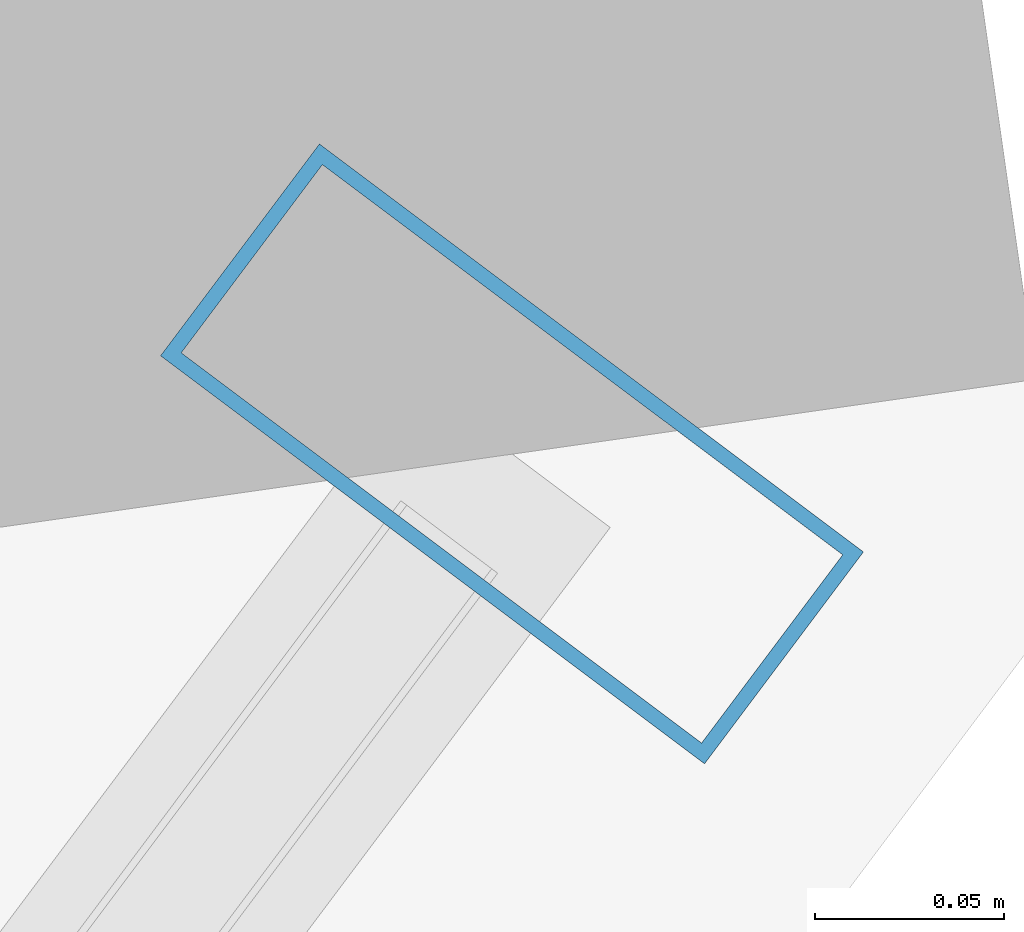
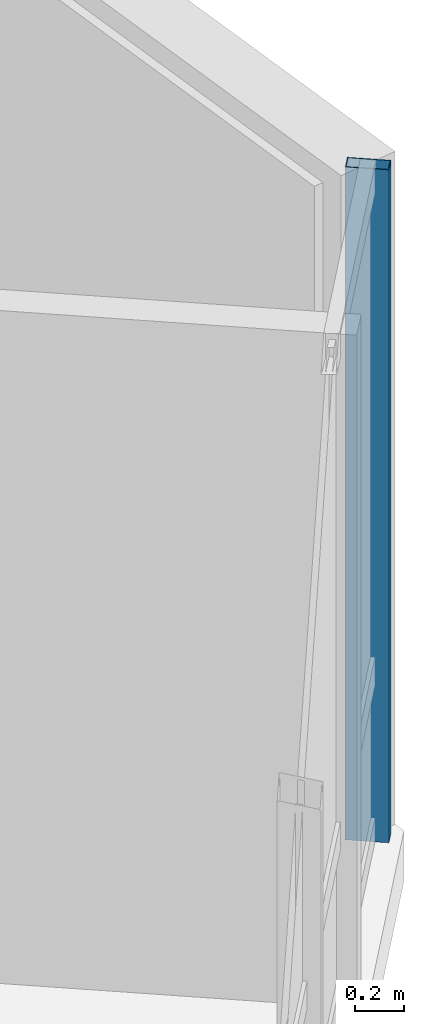
# One storey, part 16 of 29: 1 member, 1 element without a shape of its own.
"""IFC4 building model written with IfcOpenShell, lengths in metres."""

from ifc_helpers import new_model, si_unit, direction, frame, origin, origin_2d, place, context, subcontext, project, spatial, hollow_rectangle, extrude, material, layer, layer_set, material_profile, profile_set, type_object, element, aggregate, save


model = new_model("IFC4")

# Units and contexts
model_context = context("Model", 3, precision=1e-05, world=origin(), true_north=direction((0.0, 1.0)))
body_context = subcontext(model_context, "Body", "Model", "MODEL_VIEW")
ifc_project = project(units=[si_unit("LENGTHUNIT", "METRE"), si_unit("AREAUNIT", "SQUARE_METRE"), si_unit("VOLUMEUNIT", "CUBIC_METRE"), si_unit("PLANEANGLEUNIT", "RADIAN"), si_unit("MASSUNIT", "GRAM", prefix="KILO")], contexts=[model_context])

# Site, building, storey
site_placement = place(None, origin())
site = spatial("IfcSite", under=ifc_project, at=site_placement, CompositionType="ELEMENT")
building_placement = place(site_placement, origin())
building = spatial("IfcBuilding", under=site, at=building_placement, Name="Hatsunagi Terrace Concourse", CompositionType="ELEMENT")
storey_placement = place(building_placement, frame((0.0, 0.0, 149.25)))
storey = spatial("IfcBuildingStorey", under=building, at=storey_placement, Name="L39", CompositionType="ELEMENT", Elevation=149.25)

# Curtain wall, member
ifc_material_1 = material(Name="Anodised Aluminium Alloy 6063-T5", Category="aluminium")
ifc_layer = layer(ifc_material_1, 0.199951171875)
ifc_layer_set = layer_set([ifc_layer], Name="OfficeZone1_CW03")
curtain_wall_type = type_object("IfcCurtainWallType", Name="OfficeZone1_CW03", PredefinedType="NOTDEFINED", material=ifc_layer_set)
curtain_wall_placement = place(storey_placement, origin())
curtain_wall = element("IfcCurtainWall", 1, at=curtain_wall_placement, inside=storey, type_object=curtain_wall_type, Name="Unitised Curtain Wall CW-03 CW-L39-03", PredefinedType="NOTDEFINED")
ifc_material_2 = material(Name="Anodised Aluminium Alloy 6063-T5", Category="aluminium")
ifc_material_profile = material_profile(ifc_material_2, hollow_rectangle(XDim=0.070068359375, YDim=0.179931640625, WallThickness=0.00390625, at=origin_2d()), Name="ALU-MUL-180x70x4")
ifc_profile_set = profile_set([ifc_material_profile], Name="Anodised Aluminium Alloy 6063-T5")
member_type = type_object("IfcMemberType", Name="CurtainWallMullion_180x70", PredefinedType="MULLION", material=ifc_profile_set)
member_placement = place(storey_placement, frame((60.693115234375, 25.9580078125, 0.0), z_axis=(0.0, 0.0, 1.0), x_axis=(-0.599969314634, -0.800023013105, 0.0)))
member = element("IfcMember", 2, at=member_placement, type_object=member_type, Name="Curtain Wall Mullion MUL-02", PredefinedType="MULLION", context=body_context, shape_type="SweptSolid", body=[
    extrude(hollow_rectangle(XDim=0.070068359375, YDim=0.179931640625, WallThickness=0.00390625, at=origin_2d()), origin(), (0.0, 0.0, 1.0), 3.35009765625),
])
aggregate(curtain_wall, [member])

save(model, "model.ifc")
